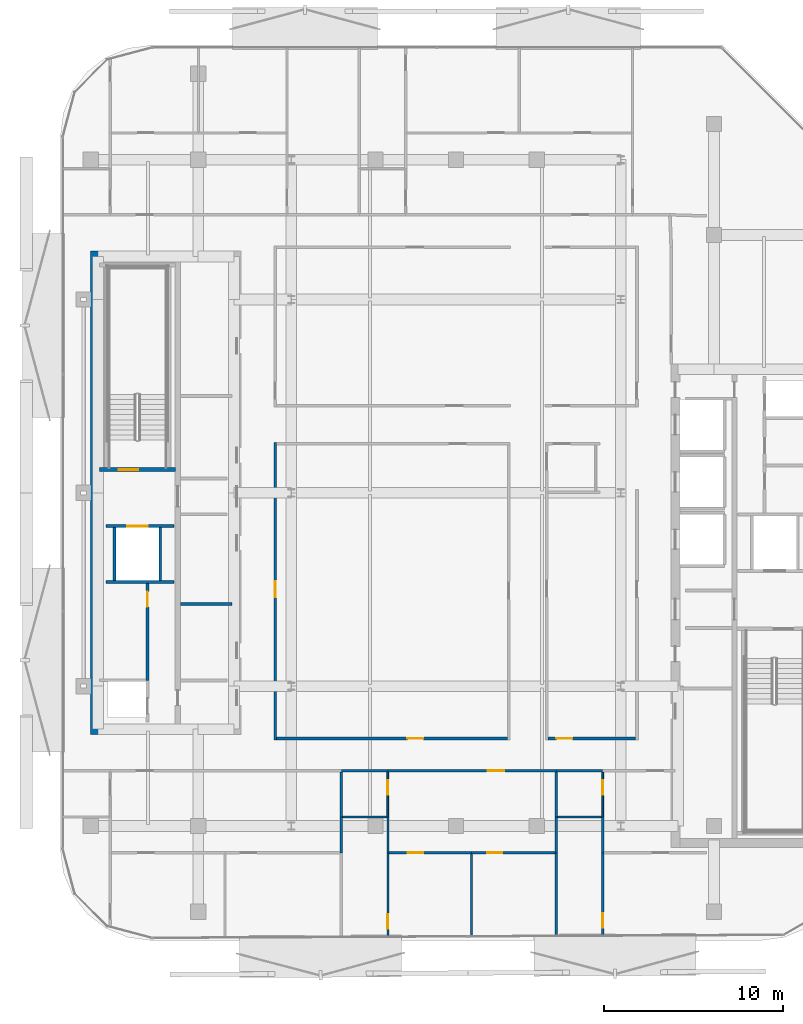
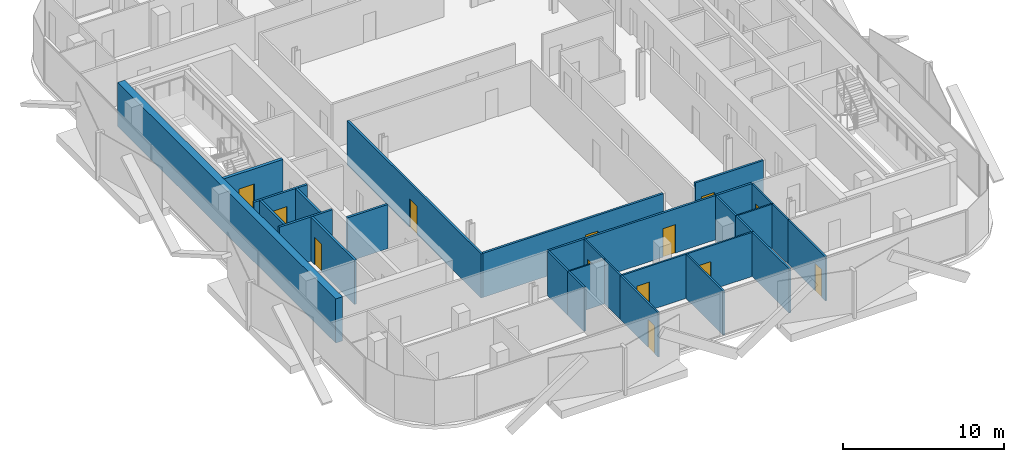
# One storey, part 3 of 15: 30 walls, 13 doors, 13 openings.
"""IFC4 building model written with IfcOpenShell, lengths in metres."""

import ifcopenshell
import ifcopenshell.guid

model = None  # the IFC model being written
_history = None  # IfcOwnerHistory: only IFC2X3 demands one
_inside = {}  # id of a spatial element -> (the spatial element, [elements in it])
_under = {}  # id of a project, library or spatial element -> (it, [spatial elements below it])
_declared = {}  # id of a project -> (the project, [libraries it declares])
_typed = {}  # id of a type object -> (the type object, [elements of that type])
_made_of = {}  # id of a material, layer set ... -> (it, [elements and type objects made of it])


def new_model(schema):
    """Start an empty IFC model of exactly this schema.

    Asked for "IFC4X3", IfcOpenShell would pick the latest addendum, in which some entities
    have other attributes; the version numbers below select the first issue.
    IFC2X3 requires an IfcOwnerHistory on every rooted entity: one is made here for all.
    """
    global model, _history
    if schema == "IFC4X3":
        model = ifcopenshell.file(schema_version=(4, 3, 0, 0))
    else:
        model = ifcopenshell.file(schema=schema)
    _inside.clear()
    _under.clear()
    _declared.clear()
    _typed.clear()
    _made_of.clear()
    _history = None
    if model.schema == "IFC2X3":
        org = make("IfcOrganization", Name="unknown")
        user = make(
            "IfcPersonAndOrganization",
            ThePerson=make("IfcPerson", FamilyName="unknown"),
            TheOrganization=org,
        )
        app = make(
            "IfcApplication",
            ApplicationDeveloper=org,
            Version="unknown",
            ApplicationFullName="unknown",
            ApplicationIdentifier="unknown",
        )
        _history = make(
            "IfcOwnerHistory",
            OwningUser=user,
            OwningApplication=app,
            ChangeAction="ADDED",
            CreationDate=0,
        )
    return model


def make(cls, **values):
    """One entity of the class cls with the attributes given. An attribute that is None is left unset."""
    return model.create_entity(
        cls, **{name: value for name, value in values.items() if value is not None}
    )


def rooted(cls, **values):
    """An entity with a GlobalId (a new one), such as an element, a storey or a relation."""
    return make(cls, GlobalId=ifcopenshell.guid.new(), OwnerHistory=_history, **values)


def si_unit(unit_type, name, prefix=None):
    """IfcSIUnit, for example si_unit("LENGTHUNIT", "METRE", prefix="MILLI")."""
    return make("IfcSIUnit", UnitType=unit_type, Prefix=prefix, Name=name)


def assignment(units):
    """IfcUnitAssignment: the units of a project."""
    return None if units is None else make("IfcUnitAssignment", Units=units)


def point(xyz):
    """IfcCartesianPoint."""
    return None if xyz is None else make("IfcCartesianPoint", Coordinates=xyz)


def direction(xyz):
    """IfcDirection."""
    return None if xyz is None else make("IfcDirection", DirectionRatios=xyz)


def frame(location, z_axis=None, x_axis=None):
    """IfcAxis2Placement3D, a coordinate frame: its origin and axes. An axis left out is left unset."""
    return make(
        "IfcAxis2Placement3D",
        Location=point(location),
        Axis=direction(z_axis),
        RefDirection=direction(x_axis),
    )


def frame_2d(location, x_axis=None):
    """IfcAxis2Placement2D, a coordinate frame in the plane: its origin and x axis."""
    return make(
        "IfcAxis2Placement2D", Location=point(location), RefDirection=direction(x_axis)
    )


def origin():
    """The frame at (0, 0, 0) with its axes left unset."""
    return frame((0.0, 0.0, 0.0))


def place(relative_to, where):
    """IfcLocalPlacement: puts the frame where relative to a parent placement (None: the world)."""
    return make(
        "IfcLocalPlacement", PlacementRelTo=relative_to, RelativePlacement=where
    )


def context(
    kind, dimensions, precision=None, world=None, true_north=None, identifier=None
):
    """IfcGeometricRepresentationContext, for example the 3D "Model" context."""
    return make(
        "IfcGeometricRepresentationContext",
        ContextIdentifier=identifier,
        ContextType=kind,
        CoordinateSpaceDimension=dimensions,
        Precision=precision,
        WorldCoordinateSystem=world,
        TrueNorth=true_north,
    )


def subcontext(parent, identifier, kind, view, scale=None):
    """IfcGeometricRepresentationSubContext, for example "Body" below "Model"."""
    return make(
        "IfcGeometricRepresentationSubContext",
        ContextIdentifier=identifier,
        ContextType=kind,
        ParentContext=parent,
        TargetScale=scale,
        TargetView=view,
    )


def project(units=None, contexts=None):
    """IfcProject with its units and contexts."""
    return rooted(
        "IfcProject",
        Name="project",
        RepresentationContexts=contexts,
        UnitsInContext=assignment(units),
    )


def spatial(cls, under=None, at=None, **own):
    """A site, building, storey or space (cls), placed at a placement, below another one or the project."""
    s = rooted(cls, ObjectPlacement=at, **own)
    if under is not None:
        _under.setdefault(under.id(), (under, []))[1].append(s)
    return s


def profile(cls, at=None, kind="AREA", **sizes):
    """A parametric profile (cls). Its sizes go by their IFC names, for example OverallWidth=200.0."""
    return make(cls, ProfileType=kind, Position=at, **sizes)


def rectangle(**sizes):
    """IfcRectangleProfileDef."""
    return profile("IfcRectangleProfileDef", **sizes)


def extrude(swept, where, along, depth):
    """IfcExtrudedAreaSolid: the profile swept, set in the frame where, extruded along a direction by depth."""
    return make(
        "IfcExtrudedAreaSolid",
        SweptArea=swept,
        Position=where,
        ExtrudedDirection=direction(along),
        Depth=depth,
    )


def shape(context_of_items, identifier, shape_type, items):
    """IfcShapeRepresentation: the items that make up one representation, for example the "Body"."""
    return make(
        "IfcShapeRepresentation",
        ContextOfItems=context_of_items,
        RepresentationIdentifier=identifier,
        RepresentationType=shape_type,
        Items=items,
    )


def material(Name=None, Category=None):
    """IfcMaterial."""
    return make("IfcMaterial", Name=Name, Category=Category)


def layer(
    of_material, thickness, ventilated=None, Name=None, Category=None, Priority=None
):
    """IfcMaterialLayer: one layer of a wall or slab, of a material (None: an air gap)."""
    return make(
        "IfcMaterialLayer",
        Material=of_material,
        LayerThickness=thickness,
        IsVentilated=ventilated,
        Name=Name,
        Category=Category,
        Priority=Priority,
    )


def layer_set(layers, Name=None):
    """IfcMaterialLayerSet."""
    return make("IfcMaterialLayerSet", MaterialLayers=layers, LayerSetName=Name)


def made_of(thing, what):
    """Note that an element or type object is made of a material, layer set ...; save() writes the relation."""
    if what is not None:
        _made_of.setdefault(what.id(), (what, []))[1].append(thing)
    return thing


def type_object(cls, material=None, **own):
    """A type object (cls), such as IfcWallType, which elements share."""
    return made_of(rooted(cls, **own), material)


def element(
    cls,
    number,
    at=None,
    inside=None,
    cuts=None,
    type_object=None,
    material=None,
    context=None,
    identifier="Body",
    shape_type=None,
    held_by="IfcProductDefinitionShape",
    body=None,
    shapes=None,
    **own,
):
    """One element of the class cls, such as IfcWall. Its Tag is "e" and its number.

    at: its placement. inside: the storey or other place that contains it. cuts: it is an
    opening in that element (IfcRelVoidsElement). A single representation is given by context,
    identifier, shape_type and body (its items); several are given by shapes. held_by: the class
    of the entity that holds the representations. save() writes the other relations.
    """
    e = rooted(cls, Tag="e%d" % number, ObjectPlacement=at, **own)
    if body is not None:
        shapes = [shape(context, identifier, shape_type, body)]
    if shapes is not None:
        e.Representation = make(held_by, Representations=shapes)
    if inside is not None:
        _inside.setdefault(inside.id(), (inside, []))[1].append(e)
    if cuts is not None:
        rooted(
            "IfcRelVoidsElement", RelatingBuildingElement=cuts, RelatedOpeningElement=e
        )
    if type_object is not None:
        _typed.setdefault(type_object.id(), (type_object, []))[1].append(e)
    return made_of(e, material)


def fill(opening, filler):
    """IfcRelFillsElement: the door or window that sits in an opening."""
    return rooted(
        "IfcRelFillsElement",
        RelatingOpeningElement=opening,
        RelatedBuildingElement=filler,
    )


def aggregate(whole, parts):
    """IfcRelAggregates: a whole, such as a stair, and the parts it consists of."""
    return rooted("IfcRelAggregates", RelatingObject=whole, RelatedObjects=parts)


def save(model, path):
    """Write the relations noted so far, then the file.

    IfcRelAggregates (storeys below a building ...), IfcRelContainedInSpatialStructure (elements
    in a storey), IfcRelDefinesByType, IfcRelAssociatesMaterial and IfcRelDeclares: one each for
    every whole, place, type object, material and project.
    """
    for whole, parts in _under.values():
        aggregate(whole, parts)
    for where, things in _inside.values():
        rooted(
            "IfcRelContainedInSpatialStructure",
            RelatedElements=things,
            RelatingStructure=where,
        )
    for kind, things in _typed.values():
        rooted("IfcRelDefinesByType", RelatedObjects=things, RelatingType=kind)
    for what, things in _made_of.values():
        rooted("IfcRelAssociatesMaterial", RelatedObjects=things, RelatingMaterial=what)
    for by, libraries in _declared.values():
        rooted("IfcRelDeclares", RelatingContext=by, RelatedDefinitions=libraries)
    model.write(path)


model = new_model("IFC4")

# Units and contexts
model_context = context("Model", 3, precision=1e-05, world=origin(), true_north=direction((0.0, 1.0)))
body_context = subcontext(model_context, "Body", "Model", "MODEL_VIEW")
ifc_project = project(units=[si_unit("LENGTHUNIT", "METRE"), si_unit("AREAUNIT", "SQUARE_METRE"), si_unit("VOLUMEUNIT", "CUBIC_METRE"), si_unit("PLANEANGLEUNIT", "RADIAN"), si_unit("MASSUNIT", "GRAM", prefix="KILO")], contexts=[model_context])

# Site, building, storey
site_placement = place(None, origin())
site = spatial("IfcSite", under=ifc_project, at=site_placement, CompositionType="ELEMENT")
building_placement = place(site_placement, origin())
building = spatial("IfcBuilding", under=site, at=building_placement, Name="Khairoan Windgate Tower", CompositionType="ELEMENT")
storey_placement = place(building_placement, frame((0.0, 0.0, 254.800048828125)))
storey = spatial("IfcBuildingStorey", under=building, at=storey_placement, Name="L60", CompositionType="ELEMENT", Elevation=254.800048828125)

# Wall
ifc_material_1 = material(Name="Moisture-Resistant Gypsum Partition", Category="gypsum")
ifc_layer_1 = layer(ifc_material_1, 0.10009765625, Name="Moisture-Resistant Gypsum Partition")
ifc_layer_set_1 = layer_set([ifc_layer_1], Name="Moisture-Resistant Gypsum Partition")
wall_type_1 = type_object("IfcWallType", Name="Bathroom Wet-Area Partition Wall", PredefinedType="PARTITIONING", material=ifc_layer_set_1)
wall_1_placement = place(storey_placement, frame((-6.330078125, -18.10009765625, 0.0), z_axis=(0.0, 0.0, 1.0), x_axis=(1.0, 0.0, 0.0)))
element("IfcWall", 1, at=wall_1_placement, inside=storey, type_object=wall_type_1, Name="L60 Interior Partition 072", PredefinedType="PARTITIONING", context=body_context, shape_type="SweptSolid", body=[
    extrude(rectangle(XDim=2.469970703125, YDim=0.10009765625, at=frame_2d((1.23486328125, 0.0))), origin(), (0.0, 0.0, 1.0), 3.33984375),
])

# Wall, opening, door
wall_2_placement = place(storey_placement, frame((-3.81005859375, -18.10009765625, 0.0), z_axis=(0.0, 0.0, 1.0), x_axis=(0.0, 1.0, 0.0)))
wall_2 = element("IfcWall", 2, at=wall_2_placement, inside=storey, type_object=wall_type_1, Name="L60 Interior Partition 073", PredefinedType="PARTITIONING", context=body_context, shape_type="SweptSolid", body=[
    extrude(rectangle(XDim=2.5, YDim=0.10009765625, at=frame_2d((1.25, 0.0))), origin(), (0.0, 0.0, 1.0), 3.33984375),
])
opening_1_placement = place(wall_2_placement, frame((1.239990234375, 0.0, 0.0)))
opening_1 = element("IfcOpeningElement", 3, at=opening_1_placement, cuts=wall_2, Name="Opening ID-BTH", PredefinedType="OPENING", context=body_context, shape_type="SweptSolid", body=[
    extrude(rectangle(XDim=0.800048828125, YDim=2.10009765625, at=frame_2d((0.39990234375, 1.050048828125))), frame((0.0, 0.06005859375, 0.0), z_axis=(0.0, -1.0, 0.0), x_axis=(1.0, 0.0, 0.0)), (0.0, 0.0, 1.0), 0.1201171875),
])
ifc_material_2 = material(Name="Teak Veneer Timber Leaf", Category="wood")
door_type_1 = type_object("IfcDoorType", Name="Internal Bathroom Door ID-BTH 800x2100", OperationType="NOTDEFINED", PredefinedType="DOOR", material=ifc_material_2)
door_1_placement = place(opening_1_placement, origin())
door_1 = element("IfcDoor", 4, at=door_1_placement, inside=storey, type_object=door_type_1, Name="L60 L60-50-L60-52 Door", OperationType="SINGLE_SWING_LEFT", OverallHeight=2.10009765625, OverallWidth=0.800048828125, PredefinedType="DOOR", context=body_context, shape_type="SweptSolid", body=[
    extrude(rectangle(XDim=0.800048828125, YDim=2.10009765625, at=frame_2d((0.39990234375, 1.050048828125))), frame((0.0, 0.02490234375, 0.0), z_axis=(0.0, -1.0, 0.0), x_axis=(1.0, 0.0, 0.0)), (0.0, 0.0, 1.0), 0.050048828125),
])
fill(opening_1, door_1)

# Wall
wall_3_placement = place(storey_placement, frame((5.669921875, -18.10009765625, 0.0), z_axis=(0.0, 0.0, 1.0), x_axis=(1.0, 0.0, 0.0)))
element("IfcWall", 5, at=wall_3_placement, inside=storey, type_object=wall_type_1, Name="L60 Interior Partition 082", PredefinedType="PARTITIONING", context=body_context, shape_type="SweptSolid", body=[
    extrude(rectangle(XDim=2.469970703125, YDim=0.10009765625, at=frame_2d((1.23486328125, 0.0))), origin(), (0.0, 0.0, 1.0), 3.33984375),
])

# Wall, opening, door
wall_4_placement = place(storey_placement, frame((8.18994140625, -18.10009765625, 0.0), z_axis=(0.0, 0.0, 1.0), x_axis=(0.0, 1.0, 0.0)))
wall_4 = element("IfcWall", 6, at=wall_4_placement, inside=storey, type_object=wall_type_1, Name="L60 Interior Partition 083", PredefinedType="PARTITIONING", context=body_context, shape_type="SweptSolid", body=[
    extrude(rectangle(XDim=2.5, YDim=0.10009765625, at=frame_2d((1.25, 0.0))), origin(), (0.0, 0.0, 1.0), 3.33984375),
])
opening_2_placement = place(wall_4_placement, frame((1.239990234375, 0.0, 0.0)))
opening_2 = element("IfcOpeningElement", 7, at=opening_2_placement, cuts=wall_4, Name="Opening ID-BTH", PredefinedType="OPENING", context=body_context, shape_type="SweptSolid", body=[
    extrude(rectangle(XDim=0.800048828125, YDim=2.10009765625, at=frame_2d((0.39990234375, 1.050048828125))), frame((0.0, 0.06005859375, 0.0), z_axis=(0.0, -1.0, 0.0), x_axis=(1.0, 0.0, 0.0)), (0.0, 0.0, 1.0), 0.1201171875),
])
door_2_placement = place(opening_2_placement, origin())
door_2 = element("IfcDoor", 8, at=door_2_placement, inside=storey, type_object=door_type_1, Name="L60 L60-55-L60-57 Door", OperationType="SINGLE_SWING_LEFT", OverallHeight=2.10009765625, OverallWidth=0.800048828125, PredefinedType="DOOR", context=body_context, shape_type="SweptSolid", body=[
    extrude(rectangle(XDim=0.800048828125, YDim=2.10009765625, at=frame_2d((0.39990234375, 1.050048828125))), frame((0.0, 0.02490234375, 0.0), z_axis=(0.0, -1.0, 0.0), x_axis=(1.0, 0.0, 0.0)), (0.0, 0.0, 1.0), 0.050048828125),
])
fill(opening_2, door_2)

ifc_material_3 = material(Name="Concrete C40/50", Category="concrete")
ifc_layer_2 = layer(ifc_material_3, 0.159912109375, Name="Concrete C40/50")
ifc_layer_set_2 = layer_set([ifc_layer_2], Name="Concrete C40/50")
wall_type_2 = type_object("IfcWallType", Name="Core and Hoistway Enclosure Wall", PredefinedType="STANDARD", material=ifc_layer_set_2)
wall_5_placement = place(storey_placement, frame((-19.550048828125, -1.860107421875, 0.0), z_axis=(0.0, 0.0, 1.0), x_axis=(1.0, 0.0, 0.0)))
wall_5 = element("IfcWall", 9, at=wall_5_placement, inside=storey, type_object=wall_type_2, Name="L60 Core Shaft Wall SW-FL2-L60", PredefinedType="STANDARD", context=body_context, shape_type="SweptSolid", body=[
    extrude(rectangle(XDim=3.800048828125, YDim=0.159912109375, at=frame_2d((1.89990234375, 0.0))), origin(), (0.0, 0.0, 1.0), 3.33984375),
])
opening_3_placement = place(wall_5_placement, frame((1.179931640625, 0.0, 0.0)))
opening_3 = element("IfcOpeningElement", 10, at=opening_3_placement, cuts=wall_5, Name="Opening LD-FL", PredefinedType="OPENING", context=body_context, shape_type="SweptSolid", body=[
    extrude(rectangle(XDim=1.14990234375, YDim=2.199951171875, at=frame_2d((0.574951171875, 1.10009765625))), frame((0.0, 0.08984375, 0.0), z_axis=(0.0, -1.0, 0.0), x_axis=(1.0, 0.0, 0.0)), (0.0, 0.0, 1.0), 0.179931640625),
])
ifc_material_4 = material(Name="Steel S355", Category="steel")
door_type_2 = type_object("IfcDoorType", Name="Firefighting Lift Sliding Landing Door LD-FL 1150x2200", OperationType="DOUBLE_DOOR_SLIDING", PredefinedType="DOOR", material=ifc_material_4)
door_3_placement = place(opening_3_placement, origin())
door_3 = element("IfcDoor", 11, at=door_3_placement, inside=storey, type_object=door_type_2, Name="L60 Firefighting Lift FL2 Landing Door", OperationType="DOUBLE_DOOR_SLIDING", OverallHeight=2.199951171875, OverallWidth=1.14990234375, PredefinedType="DOOR", context=body_context, shape_type="SweptSolid", body=[
    extrude(rectangle(XDim=1.14990234375, YDim=2.199951171875, at=frame_2d((0.574951171875, 1.10009765625))), frame((0.0, 0.02490234375, 0.0), z_axis=(0.0, -1.0, 0.0), x_axis=(1.0, 0.0, 0.0)), (0.0, 0.0, 1.0), 0.050048828125),
])
fill(opening_3, door_3)

# Walls
wall_6_placement = place(storey_placement, frame((-19.550048828125, -4.97998046875, 0.0), z_axis=(0.0, 0.0, 1.0), x_axis=(1.0, 0.0, 0.0)))
element("IfcWall", 12, at=wall_6_placement, inside=storey, type_object=wall_type_2, Name="L60 Core Shaft Wall SW-FL2B-L60", PredefinedType="STANDARD", context=body_context, shape_type="SweptSolid", body=[
    extrude(rectangle(XDim=3.800048828125, YDim=0.159912109375, at=frame_2d((1.89990234375, 0.0))), origin(), (0.0, 0.0, 1.0), 3.33984375),
])
for number, where, z_axis, x_axis, name in (
    (13, (-19.080078125, -4.89990234375, 0.0), (0.0, 0.0, 1.0), (0.0, 1.0, 0.0), "L60 Core Shaft Wall SW-FL2W-L60"),
    (14, (-16.52001953125, -4.89990234375, 0.0), (0.0, 0.0, 1.0), (0.0, 1.0, 0.0), "L60 Core Shaft Wall SW-FL2E-L60"),
):
    element("IfcWall", number, at=place(storey_placement, frame(where, z_axis=z_axis, x_axis=x_axis)), inside=storey, type_object=wall_type_2, Name=name, PredefinedType="STANDARD", context=body_context, shape_type="SweptSolid", body=[
        extrude(rectangle(XDim=2.9599609375, YDim=0.159912109375, at=frame_2d((1.47998046875, 0.0))), origin(), (0.0, 0.0, 1.0), 3.33984375),
    ])
ifc_material_5 = material(Name="Acoustic Fire-Rated Gypsum Partition", Category="gypsum")
ifc_layer_3 = layer(ifc_material_5, 0.139892578125, Name="Acoustic Fire-Rated Gypsum Partition")
ifc_layer_set_3 = layer_set([ifc_layer_3], Name="Acoustic Fire-Rated Gypsum Partition")
wall_type_3 = type_object("IfcWallType", Name="Inter-Tenancy Compartment Wall", PredefinedType="PARTITIONING", material=ifc_layer_set_3)
wall_7_placement = place(storey_placement, frame((-6.39990234375, -18.10009765625, 0.0), z_axis=(0.0, 0.0, 1.0), x_axis=(0.0, 1.0, 0.0)))
element("IfcWall", 15, at=wall_7_placement, inside=storey, type_object=wall_type_3, Name="L60 Interior Partition 068", PredefinedType="PARTITIONING", context=body_context, shape_type="SweptSolid", body=[
    extrude(rectangle(XDim=2.5, YDim=0.139892578125, at=frame_2d((1.25, 0.0))), origin(), (0.0, 0.0, 1.0), 3.33984375),
])
wall_8_placement = place(storey_placement, frame((-6.39990234375, -20.10009765625, 0.0), z_axis=(0.0, 0.0, 1.0), x_axis=(0.0, 1.0, 0.0)))
element("IfcWall", 16, at=wall_8_placement, inside=storey, type_object=wall_type_3, Name="L60 Interior Partition 069", PredefinedType="PARTITIONING", context=body_context, shape_type="SweptSolid", body=[
    extrude(rectangle(XDim=2.0, YDim=0.139892578125, at=frame_2d((1.0, 0.0))), origin(), (0.0, 0.0, 1.0), 3.33984375),
])
wall_9_placement = place(storey_placement, frame((5.60009765625, -18.10009765625, 0.0), z_axis=(0.0, 0.0, 1.0), x_axis=(0.0, 1.0, 0.0)))
element("IfcWall", 17, at=wall_9_placement, inside=storey, type_object=wall_type_3, Name="L60 Interior Partition 078", PredefinedType="PARTITIONING", context=body_context, shape_type="SweptSolid", body=[
    extrude(rectangle(XDim=2.5, YDim=0.139892578125, at=frame_2d((1.25, 0.0))), origin(), (0.0, 0.0, 1.0), 3.33984375),
])
wall_10_placement = place(storey_placement, frame((5.60009765625, -20.10009765625, 0.0), z_axis=(0.0, 0.0, 1.0), x_axis=(0.0, 1.0, 0.0)))
element("IfcWall", 18, at=wall_10_placement, inside=storey, type_object=wall_type_3, Name="L60 Interior Partition 079", PredefinedType="PARTITIONING", context=body_context, shape_type="SweptSolid", body=[
    extrude(rectangle(XDim=2.0, YDim=0.139892578125, at=frame_2d((1.0, 0.0))), origin(), (0.0, 0.0, 1.0), 3.33984375),
])
wall_11_placement = place(storey_placement, frame((5.60009765625, -24.74609375, 0.0), z_axis=(0.0, 0.0, 1.0), x_axis=(0.0, 1.0, 0.0)))
element("IfcWall", 19, at=wall_11_placement, inside=storey, type_object=wall_type_3, Name="L60 Interior Partition 081", PredefinedType="PARTITIONING", context=body_context, shape_type="SweptSolid", body=[
    extrude(rectangle(XDim=4.64599609375, YDim=0.139892578125, at=frame_2d((2.322998046875, 0.0))), origin(), (0.0, 0.0, 1.0), 3.33984375),
])
ifc_material_6 = material(Name="Gypsum Stud Partition", Category="gypsum")
ifc_layer_4 = layer(ifc_material_6, 0.1201171875, Name="Gypsum Stud Partition")
ifc_layer_set_4 = layer_set([ifc_layer_4], Name="Gypsum Stud Partition")
wall_type_4 = type_object("IfcWallType", Name="Internal Room Partition Wall", PredefinedType="PARTITIONING", material=ifc_layer_set_4)
wall_12_placement = place(storey_placement, frame((-3.81005859375, -20.10009765625, 0.0), z_axis=(0.0, 0.0, 1.0), x_axis=(0.0, 1.0, 0.0)))
element("IfcWall", 20, at=wall_12_placement, inside=storey, type_object=wall_type_4, Name="L60 Interior Partition 074", PredefinedType="PARTITIONING", context=body_context, shape_type="SweptSolid", body=[
    extrude(rectangle(XDim=2.0, YDim=0.1201171875, at=frame_2d((1.0, 0.0))), origin(), (0.0, 0.0, 1.0), 3.33984375),
])

# Wall, opening, door
wall_13_placement = place(storey_placement, frame((-3.81005859375, -24.79150390625, 0.0), z_axis=(0.0, 0.0, 1.0), x_axis=(0.0, 1.0, 0.0)))
wall_13 = element("IfcWall", 21, at=wall_13_placement, inside=storey, type_object=wall_type_4, Name="L60 Interior Partition 075", PredefinedType="PARTITIONING", context=body_context, shape_type="SweptSolid", body=[
    extrude(rectangle(XDim=4.69140625, YDim=0.1201171875, at=frame_2d((2.345703125, 0.0))), origin(), (0.0, 0.0, 1.0), 3.33984375),
])
opening_4_placement = place(wall_13_placement, frame((0.4599609375, 0.0, 0.0)))
opening_4 = element("IfcOpeningElement", 22, at=opening_4_placement, cuts=wall_13, Name="Opening ID-BTH", PredefinedType="OPENING", context=body_context, shape_type="SweptSolid", body=[
    extrude(rectangle(XDim=0.800048828125, YDim=2.10009765625, at=frame_2d((0.39990234375, 1.050048828125))), frame((0.0, 0.070068359375, 0.0), z_axis=(0.0, -1.0, 0.0), x_axis=(1.0, 0.0, 0.0)), (0.0, 0.0, 1.0), 0.14013671875),
])
door_4_placement = place(opening_4_placement, origin())
door_4 = element("IfcDoor", 23, at=door_4_placement, inside=storey, type_object=door_type_1, Name="L60 L60-51-L60-53 Door", OperationType="SINGLE_SWING_LEFT", OverallHeight=2.10009765625, OverallWidth=0.800048828125, PredefinedType="DOOR", context=body_context, shape_type="SweptSolid", body=[
    extrude(rectangle(XDim=0.800048828125, YDim=2.10009765625, at=frame_2d((0.39990234375, 1.050048828125))), frame((0.0, 0.02490234375, 0.0), z_axis=(0.0, -1.0, 0.0), x_axis=(1.0, 0.0, 0.0)), (0.0, 0.0, 1.0), 0.050048828125),
])
fill(opening_4, door_4)

wall_14_placement = place(storey_placement, frame((-3.75, -20.10009765625, 0.0), z_axis=(0.0, 0.0, 1.0), x_axis=(1.0, 0.0, 0.0)))
wall_14 = element("IfcWall", 24, at=wall_14_placement, inside=storey, type_object=wall_type_4, Name="L60 Interior Partition 076", PredefinedType="PARTITIONING", context=body_context, shape_type="SweptSolid", body=[
    extrude(rectangle(XDim=4.60498046875, YDim=0.1201171875, at=frame_2d((2.302490234375, 0.0))), origin(), (0.0, 0.0, 1.0), 3.33984375),
])
opening_5_placement = place(wall_14_placement, frame((1.0654296875, 0.0, 0.0)))
opening_5 = element("IfcOpeningElement", 25, at=opening_5_placement, cuts=wall_14, Name="Opening ID-RM", PredefinedType="OPENING", context=body_context, shape_type="SweptSolid", body=[
    extrude(rectangle(XDim=0.860107421875, YDim=2.14990234375, at=frame_2d((0.43017578125, 1.074951171875))), frame((0.0, 0.070068359375, 0.0), z_axis=(0.0, -1.0, 0.0), x_axis=(1.0, 0.0, 0.0)), (0.0, 0.0, 1.0), 0.14013671875),
])
ifc_material_7 = material(Name="Teak Veneer Timber Leaf", Category="wood")
door_type_3 = type_object("IfcDoorType", Name="Internal Bedroom and Office Door ID-RM 860x2150", OperationType="NOTDEFINED", PredefinedType="DOOR", material=ifc_material_7)
door_5_placement = place(opening_5_placement, origin())
door_5 = element("IfcDoor", 26, at=door_5_placement, inside=storey, type_object=door_type_3, Name="L60 L60-52-L60-53 Door", OperationType="SINGLE_SWING_LEFT", OverallHeight=2.14990234375, OverallWidth=0.860107421875, PredefinedType="DOOR", context=body_context, shape_type="SweptSolid", body=[
    extrude(rectangle(XDim=0.860107421875, YDim=2.14990234375, at=frame_2d((0.43017578125, 1.074951171875))), frame((0.0, 0.02490234375, 0.0), z_axis=(0.0, -1.0, 0.0), x_axis=(1.0, 0.0, 0.0)), (0.0, 0.0, 1.0), 0.050048828125),
])
fill(opening_5, door_5)

wall_15_placement = place(storey_placement, frame((0.85498046875, -20.10009765625, 0.0), z_axis=(0.0, 0.0, 1.0), x_axis=(1.0, 0.0, 0.0)))
wall_15 = element("IfcWall", 27, at=wall_15_placement, inside=storey, type_object=wall_type_4, Name="L60 Interior Partition 077", PredefinedType="PARTITIONING", context=body_context, shape_type="SweptSolid", body=[
    extrude(rectangle(XDim=4.675048828125, YDim=0.1201171875, at=frame_2d((2.33740234375, 0.0))), origin(), (0.0, 0.0, 1.0), 3.33984375),
])
opening_6_placement = place(wall_15_placement, frame((0.87353515625, 0.0, 0.0)))
opening_6 = element("IfcOpeningElement", 28, at=opening_6_placement, cuts=wall_15, Name="Opening ID-RM", PredefinedType="OPENING", context=body_context, shape_type="SweptSolid", body=[
    extrude(rectangle(XDim=0.860107421875, YDim=2.14990234375, at=frame_2d((0.43017578125, 1.074951171875))), frame((0.0, 0.070068359375, 0.0), z_axis=(0.0, -1.0, 0.0), x_axis=(1.0, 0.0, 0.0)), (0.0, 0.0, 1.0), 0.14013671875),
])
door_6_placement = place(opening_6_placement, origin())
door_6 = element("IfcDoor", 29, at=door_6_placement, inside=storey, type_object=door_type_3, Name="L60 L60-52-L60-54 Door", OperationType="SINGLE_SWING_RIGHT", OverallHeight=2.14990234375, OverallWidth=0.860107421875, PredefinedType="DOOR", context=body_context, shape_type="SweptSolid", body=[
    extrude(rectangle(XDim=0.860107421875, YDim=2.14990234375, at=frame_2d((0.43017578125, 1.074951171875))), frame((0.0, 0.02490234375, 0.0), z_axis=(0.0, -1.0, 0.0), x_axis=(1.0, 0.0, 0.0)), (0.0, 0.0, 1.0), 0.050048828125),
])
fill(opening_6, door_6)

# Walls
wall_16_placement = place(storey_placement, frame((0.85498046875, -24.768798828125, 0.0), z_axis=(0.0, 0.0, 1.0), x_axis=(0.0, 1.0, 0.0)))
element("IfcWall", 30, at=wall_16_placement, inside=storey, type_object=wall_type_4, Name="L60 Interior Partition 080", PredefinedType="PARTITIONING", context=body_context, shape_type="SweptSolid", body=[
    extrude(rectangle(XDim=4.60888671875, YDim=0.1201171875, at=frame_2d((2.304443359375, 0.0))), origin(), (0.0, 0.0, 1.0), 3.33984375),
])
wall_17_placement = place(storey_placement, frame((8.18994140625, -20.10009765625, 0.0), z_axis=(0.0, 0.0, 1.0), x_axis=(0.0, 1.0, 0.0)))
element("IfcWall", 31, at=wall_17_placement, inside=storey, type_object=wall_type_4, Name="L60 Interior Partition 084", PredefinedType="PARTITIONING", context=body_context, shape_type="SweptSolid", body=[
    extrude(rectangle(XDim=2.0, YDim=0.1201171875, at=frame_2d((1.0, 0.0))), origin(), (0.0, 0.0, 1.0), 3.33984375),
])

# Wall, opening, door
wall_18_placement = place(storey_placement, frame((8.18994140625, -24.7333984375, 0.0), z_axis=(0.0, 0.0, 1.0), x_axis=(0.0, 1.0, 0.0)))
wall_18 = element("IfcWall", 32, at=wall_18_placement, inside=storey, type_object=wall_type_4, Name="L60 Interior Partition 085", PredefinedType="PARTITIONING", context=body_context, shape_type="SweptSolid", body=[
    extrude(rectangle(XDim=4.63330078125, YDim=0.1201171875, at=frame_2d((2.316650390625, 0.0))), origin(), (0.0, 0.0, 1.0), 3.33984375),
])
opening_7_placement = place(wall_18_placement, frame((0.4599609375, 0.0, 0.0)))
opening_7 = element("IfcOpeningElement", 33, at=opening_7_placement, cuts=wall_18, Name="Opening ID-BTH", PredefinedType="OPENING", context=body_context, shape_type="SweptSolid", body=[
    extrude(rectangle(XDim=0.800048828125, YDim=2.10009765625, at=frame_2d((0.39990234375, 1.050048828125))), frame((0.0, 0.070068359375, 0.0), z_axis=(0.0, -1.0, 0.0), x_axis=(1.0, 0.0, 0.0)), (0.0, 0.0, 1.0), 0.14013671875),
])
door_7_placement = place(opening_7_placement, origin())
door_7 = element("IfcDoor", 34, at=door_7_placement, inside=storey, type_object=door_type_1, Name="L60 L60-56-L60-58 Door", OperationType="SINGLE_SWING_RIGHT", OverallHeight=2.10009765625, OverallWidth=0.800048828125, PredefinedType="DOOR", context=body_context, shape_type="SweptSolid", body=[
    extrude(rectangle(XDim=0.800048828125, YDim=2.10009765625, at=frame_2d((0.39990234375, 1.050048828125))), frame((0.0, 0.02490234375, 0.0), z_axis=(0.0, -1.0, 0.0), x_axis=(1.0, 0.0, 0.0)), (0.0, 0.0, 1.0), 0.050048828125),
])
fill(opening_7, door_7)

ifc_material_8 = material(Name="Concrete C40/50", Category="concrete")
ifc_layer_5 = layer(ifc_material_8, 0.159912109375, Name="Concrete C40/50")
ifc_layer_set_5 = layer_set([ifc_layer_5], Name="Concrete C40/50")
wall_type_5 = type_object("IfcWallType", Name="Plant and Refuge Compartment Wall", PredefinedType="PARTITIONING", material=ifc_layer_set_5)
wall_19_placement = place(storey_placement, frame((-17.22998046875, -10.469970703125, 0.0), z_axis=(0.0, 0.0, 1.0), x_axis=(0.0, 1.0, 0.0)))
wall_19 = element("IfcWall", 35, at=wall_19_placement, inside=storey, type_object=wall_type_5, Name="L60 Interior Partition 002", PredefinedType="PARTITIONING", context=body_context, shape_type="SweptSolid", body=[
    extrude(rectangle(XDim=5.409912109375, YDim=0.159912109375, at=frame_2d((2.705078125, 0.0))), origin(), (0.0, 0.0, 1.0), 3.33984375),
])
opening_8_placement = place(wall_19_placement, frame((4.10009765625, 0.0, 0.0)))
opening_8 = element("IfcOpeningElement", 36, at=opening_8_placement, cuts=wall_19, Name="Opening FD-SRV", PredefinedType="OPENING", context=body_context, shape_type="SweptSolid", body=[
    extrude(rectangle(XDim=0.85009765625, YDim=2.10009765625, at=frame_2d((0.425048828125, 1.050048828125))), frame((0.0, 0.08984375, 0.0), z_axis=(0.0, -1.0, 0.0), x_axis=(1.0, 0.0, 0.0)), (0.0, 0.0, 1.0), 0.179931640625),
])
ifc_material_9 = material(Name="Steel S355", Category="steel")
door_type_4 = type_object("IfcDoorType", Name="Core Service and Riser Fire Door FD-SRV 850x2100", OperationType="NOTDEFINED", PredefinedType="DOOR", material=ifc_material_9)
door_8_placement = place(opening_8_placement, origin())
door_8 = element("IfcDoor", 37, at=door_8_placement, inside=storey, type_object=door_type_4, Name="L60 L60-04-L60-06 Door", OperationType="SINGLE_SWING_LEFT", OverallHeight=2.10009765625, OverallWidth=0.85009765625, PredefinedType="DOOR", context=body_context, shape_type="SweptSolid", body=[
    extrude(rectangle(XDim=0.85009765625, YDim=2.10009765625, at=frame_2d((0.425048828125, 1.050048828125))), frame((0.0, 0.02490234375, 0.0), z_axis=(0.0, -1.0, 0.0), x_axis=(1.0, 0.0, 0.0)), (0.0, 0.0, 1.0), 0.050048828125),
])
fill(opening_8, door_8)

# Wall
wall_20_placement = place(storey_placement, frame((-15.39990234375, -6.199951171875, 0.0), z_axis=(0.0, 0.0, 1.0), x_axis=(1.0, 0.0, 0.0)))
element("IfcWall", 38, at=wall_20_placement, inside=storey, type_object=wall_type_5, Name="L60 Interior Partition 005", PredefinedType="PARTITIONING", context=body_context, shape_type="SweptSolid", body=[
    extrude(rectangle(XDim=2.89990234375, YDim=0.159912109375, at=frame_2d((1.449951171875, 0.0))), origin(), (0.0, 0.0, 1.0), 3.33984375),
])

# Wall, opening, door
ifc_material_10 = material(Name="Acoustic Fire-Rated Gypsum Partition", Category="gypsum")
ifc_layer_6 = layer(ifc_material_10, 0.14990234375, Name="Acoustic Fire-Rated Gypsum Partition")
ifc_layer_set_6 = layer_set([ifc_layer_6], Name="Acoustic Fire-Rated Gypsum Partition")
wall_type_6 = type_object("IfcWallType", Name="Rated Corridor Partition Wall", PredefinedType="PARTITIONING", material=ifc_layer_set_6)
wall_21_placement = place(storey_placement, frame((-10.10009765625, -13.794921875, 0.0), z_axis=(0.0, 0.0, 1.0), x_axis=(0.0, 1.0, 0.0)))
wall_21 = element("IfcWall", 39, at=wall_21_placement, inside=storey, type_object=wall_type_6, Name="L60 Interior Partition 013", PredefinedType="PARTITIONING", context=body_context, shape_type="SweptSolid", body=[
    extrude(rectangle(XDim=16.60498046875, YDim=0.14990234375, at=frame_2d((8.302490234375, 0.0))), origin(), (0.0, 0.0, 1.0), 3.33984375),
])
opening_9_placement = place(wall_21_placement, frame((7.953857421875, 0.0, 0.0)))
opening_9 = element("IfcOpeningElement", 40, at=opening_9_placement, cuts=wall_21, Name="Opening FD-ENT", PredefinedType="OPENING", context=body_context, shape_type="SweptSolid", body=[
    extrude(rectangle(XDim=0.89990234375, YDim=2.14990234375, at=frame_2d((0.449951171875, 1.074951171875))), frame((0.0, 0.0849609375, 0.0), z_axis=(0.0, -1.0, 0.0), x_axis=(1.0, 0.0, 0.0)), (0.0, 0.0, 1.0), 0.169921875),
])
ifc_material_11 = material(Name="Timber Fire-Rated Core", Category="wood")
door_type_5 = type_object("IfcDoorType", Name="Unit and Office Fire Entrance Door FD-ENT 900x2150", OperationType="NOTDEFINED", PredefinedType="DOOR", material=ifc_material_11)
door_9_placement = place(opening_9_placement, origin())
door_9 = element("IfcDoor", 41, at=door_9_placement, inside=storey, type_object=door_type_5, Name="L60 L60-27-L60-61 Door", OperationType="SINGLE_SWING_RIGHT", OverallHeight=2.14990234375, OverallWidth=0.89990234375, PredefinedType="DOOR", context=body_context, shape_type="SweptSolid", body=[
    extrude(rectangle(XDim=0.89990234375, YDim=2.14990234375, at=frame_2d((0.449951171875, 1.074951171875))), frame((0.0, 0.02490234375, 0.0), z_axis=(0.0, -1.0, 0.0), x_axis=(1.0, 0.0, 0.0)), (0.0, 0.0, 1.0), 0.050048828125),
])
fill(opening_9, door_9)

# Wall
wall_22_placement = place(storey_placement, frame((-6.39990234375, -15.52490234375, 0.0), z_axis=(0.0, 0.0, 1.0), x_axis=(1.0, 0.0, 0.0)))
element("IfcWall", 42, at=wall_22_placement, inside=storey, type_object=wall_type_6, Name="L60 Interior Partition 035", PredefinedType="PARTITIONING", context=body_context, shape_type="SweptSolid", body=[
    extrude(rectangle(XDim=2.58984375, YDim=0.14990234375, at=frame_2d((1.294921875, 0.0))), origin(), (0.0, 0.0, 1.0), 3.33984375),
])

# Wall, opening, door
wall_23_placement = place(storey_placement, frame((-3.81005859375, -15.52490234375, 0.0), z_axis=(0.0, 0.0, 1.0), x_axis=(1.0, 0.0, 0.0)))
wall_23 = element("IfcWall", 43, at=wall_23_placement, inside=storey, type_object=wall_type_6, Name="L60 Interior Partition 036", PredefinedType="PARTITIONING", context=body_context, shape_type="SweptSolid", body=[
    extrude(rectangle(XDim=9.41015625, YDim=0.14990234375, at=frame_2d((4.705078125, 0.0))), origin(), (0.0, 0.0, 1.0), 3.33984375),
])
opening_10_placement = place(wall_23_placement, frame((5.58837890625, 0.0, 0.0)))
opening_10 = element("IfcOpeningElement", 44, at=opening_10_placement, cuts=wall_23, Name="Opening FD-ENT", PredefinedType="OPENING", context=body_context, shape_type="SweptSolid", body=[
    extrude(rectangle(XDim=0.89990234375, YDim=2.14990234375, at=frame_2d((0.449951171875, 1.074951171875))), frame((0.0, 0.0849609375, 0.0), z_axis=(0.0, -1.0, 0.0), x_axis=(1.0, 0.0, 0.0)), (0.0, 0.0, 1.0), 0.169921875),
])
door_10_placement = place(opening_10_placement, origin())
door_10 = element("IfcDoor", 45, at=door_10_placement, inside=storey, type_object=door_type_5, Name="L60 L60-32-L60-52 Door", OperationType="SINGLE_SWING_LEFT", OverallHeight=2.14990234375, OverallWidth=0.89990234375, PredefinedType="DOOR", context=body_context, shape_type="SweptSolid", body=[
    extrude(rectangle(XDim=0.89990234375, YDim=2.14990234375, at=frame_2d((0.449951171875, 1.074951171875))), frame((0.0, 0.02490234375, 0.0), z_axis=(0.0, -1.0, 0.0), x_axis=(1.0, 0.0, 0.0)), (0.0, 0.0, 1.0), 0.050048828125),
])
fill(opening_10, door_10)

# Wall
wall_24_placement = place(storey_placement, frame((5.60009765625, -15.52490234375, 0.0), z_axis=(0.0, 0.0, 1.0), x_axis=(1.0, 0.0, 0.0)))
element("IfcWall", 46, at=wall_24_placement, inside=storey, type_object=wall_type_6, Name="L60 Interior Partition 037", PredefinedType="PARTITIONING", context=body_context, shape_type="SweptSolid", body=[
    extrude(rectangle(XDim=2.58984375, YDim=0.14990234375, at=frame_2d((1.294921875, 0.0))), origin(), (0.0, 0.0, 1.0), 3.33984375),
])

# Wall, opening, door
wall_25_placement = place(storey_placement, frame((-10.02490234375, -13.719970703125, 0.0), z_axis=(0.0, 0.0, 1.0), x_axis=(1.0, 0.0, 0.0)))
wall_25 = element("IfcWall", 47, at=wall_25_placement, inside=storey, type_object=wall_type_6, Name="L60 Interior Partition 039", PredefinedType="PARTITIONING", context=body_context, shape_type="SweptSolid", body=[
    extrude(rectangle(XDim=12.885009765625, YDim=0.14990234375, at=frame_2d((6.4423828125, 0.0))), origin(), (0.0, 0.0, 1.0), 3.33984375),
])
opening_11_placement = place(wall_25_placement, frame((7.30029296875, 0.0, 0.0)))
opening_11 = element("IfcOpeningElement", 48, at=opening_11_placement, cuts=wall_25, Name="Opening FD-ENT", PredefinedType="OPENING", context=body_context, shape_type="SweptSolid", body=[
    extrude(rectangle(XDim=0.89990234375, YDim=2.14990234375, at=frame_2d((0.449951171875, 1.074951171875))), frame((0.0, 0.0849609375, 0.0), z_axis=(0.0, -1.0, 0.0), x_axis=(1.0, 0.0, 0.0)), (0.0, 0.0, 1.0), 0.169921875),
])
door_11_placement = place(opening_11_placement, origin())
door_11 = element("IfcDoor", 49, at=door_11_placement, inside=storey, type_object=door_type_5, Name="L60 L60-32-L60-61 Door", OperationType="SINGLE_SWING_LEFT", OverallHeight=2.14990234375, OverallWidth=0.89990234375, PredefinedType="DOOR", context=body_context, shape_type="SweptSolid", body=[
    extrude(rectangle(XDim=0.89990234375, YDim=2.14990234375, at=frame_2d((0.449951171875, 1.074951171875))), frame((0.0, 0.02490234375, 0.0), z_axis=(0.0, -1.0, 0.0), x_axis=(1.0, 0.0, 0.0)), (0.0, 0.0, 1.0), 0.050048828125),
])
fill(opening_11, door_11)

wall_26_placement = place(storey_placement, frame((5.139892578125, -13.719970703125, 0.0), z_axis=(0.0, 0.0, 1.0), x_axis=(1.0, 0.0, 0.0)))
wall_26 = element("IfcWall", 50, at=wall_26_placement, inside=storey, type_object=wall_type_6, Name="L60 Interior Partition 040", PredefinedType="PARTITIONING", context=body_context, shape_type="SweptSolid", body=[
    extrude(rectangle(XDim=4.885009765625, YDim=0.14990234375, at=frame_2d((2.4423828125, 0.0))), origin(), (0.0, 0.0, 1.0), 3.33984375),
])
opening_12_placement = place(wall_26_placement, frame((0.4599609375, 0.0, 0.0)))
opening_12 = element("IfcOpeningElement", 51, at=opening_12_placement, cuts=wall_26, Name="Opening FD-ENT", PredefinedType="OPENING", context=body_context, shape_type="SweptSolid", body=[
    extrude(rectangle(XDim=0.89990234375, YDim=2.14990234375, at=frame_2d((0.449951171875, 1.074951171875))), frame((0.0, 0.0849609375, 0.0), z_axis=(0.0, -1.0, 0.0), x_axis=(1.0, 0.0, 0.0)), (0.0, 0.0, 1.0), 0.169921875),
])
door_12_placement = place(opening_12_placement, origin())
door_12 = element("IfcDoor", 52, at=door_12_placement, inside=storey, type_object=door_type_5, Name="L60 L60-32-L60-64 Door", OperationType="SINGLE_SWING_RIGHT", OverallHeight=2.14990234375, OverallWidth=0.89990234375, PredefinedType="DOOR", context=body_context, shape_type="SweptSolid", body=[
    extrude(rectangle(XDim=0.89990234375, YDim=2.14990234375, at=frame_2d((0.449951171875, 1.074951171875))), frame((0.0, 0.02490234375, 0.0), z_axis=(0.0, -1.0, 0.0), x_axis=(1.0, 0.0, 0.0)), (0.0, 0.0, 1.0), 0.050048828125),
])
fill(opening_12, door_12)

# Wall
ifc_material_12 = material(Name="Concrete C50/60", Category="concrete")
ifc_layer_7 = layer(ifc_material_12, 0.5, Name="Concrete C50/60")
ifc_layer_set_7 = layer_set([ifc_layer_7], Name="Concrete C50/60")
wall_type_7 = type_object("IfcWallType", Name="Shear Wall CW-W3 500mm", PredefinedType="SHEAR", material=ifc_layer_set_7)
wall_27_placement = place(storey_placement, frame((-20.14990234375, -13.5, 0.0), z_axis=(0.0, 0.0, 1.0), x_axis=(0.0, 1.0, 0.0)))
element("IfcWall", 53, at=wall_27_placement, inside=storey, type_object=wall_type_7, Name="W Core West Shear Wall L60", PredefinedType="SHEAR", context=body_context, shape_type="SweptSolid", body=[
    extrude(rectangle(XDim=27.0, YDim=0.5, at=frame_2d((13.5, 0.0))), origin(), (0.0, 0.0, 1.0), 3.33984375),
])

# Wall, opening, door
ifc_material_13 = material(Name="Concrete C50/60", Category="concrete")
ifc_layer_8 = layer(ifc_material_13, 0.219970703125, Name="Concrete C50/60")
ifc_layer_set_8 = layer_set([ifc_layer_8], Name="Concrete C50/60")
wall_type_8 = type_object("IfcWallType", Name="Shear Wall SW-ST 220mm", PredefinedType="SHEAR", material=ifc_layer_set_8)
wall_28_placement = place(storey_placement, frame((-19.919921875, 1.2900390625, 0.0), z_axis=(0.0, 0.0, 1.0), x_axis=(1.0, 0.0, 0.0)))
wall_28 = element("IfcWall", 54, at=wall_28_placement, inside=storey, type_object=wall_type_8, Name="L60 Stair ST2 South Bearing Wall", PredefinedType="SHEAR", context=body_context, shape_type="SweptSolid", body=[
    extrude(rectangle(XDim=4.239990234375, YDim=0.219970703125, at=frame_2d((2.1201171875, 0.0))), origin(), (0.0, 0.0, 1.0), 3.33984375),
])
opening_13_placement = place(wall_28_placement, frame((1.080078125, 0.0, 0.0)))
opening_13 = element("IfcOpeningElement", 55, at=opening_13_placement, cuts=wall_28, Name="Opening FD-ST", PredefinedType="OPENING", context=body_context, shape_type="SweptSolid", body=[
    extrude(rectangle(XDim=1.10009765625, YDim=2.199951171875, at=frame_2d((0.550048828125, 1.10009765625))), frame((0.0, 0.119873046875, 0.0), z_axis=(0.0, -1.0, 0.0), x_axis=(1.0, 0.0, 0.0)), (0.0, 0.0, 1.0), 0.239990234375),
])
ifc_material_14 = material(Name="Steel S355", Category="steel")
door_type_6 = type_object("IfcDoorType", Name="Smokeproof Stair Fire Door FD-ST 1100x2200", OperationType="NOTDEFINED", PredefinedType="DOOR", material=ifc_material_14)
door_13_placement = place(opening_13_placement, origin())
door_13 = element("IfcDoor", 56, at=door_13_placement, inside=storey, type_object=door_type_6, Name="L60 Stair ST2 Fire Door", OperationType="SINGLE_SWING_LEFT", OverallHeight=2.199951171875, OverallWidth=1.10009765625, PredefinedType="DOOR", context=body_context, shape_type="SweptSolid", body=[
    extrude(rectangle(XDim=1.10009765625, YDim=2.199951171875, at=frame_2d((0.550048828125, 1.10009765625))), frame((0.0, 0.02490234375, 0.0), z_axis=(0.0, -1.0, 0.0), x_axis=(1.0, 0.0, 0.0)), (0.0, 0.0, 1.0), 0.050048828125),
])
fill(opening_13, door_13)

save(model, "model.ifc")
